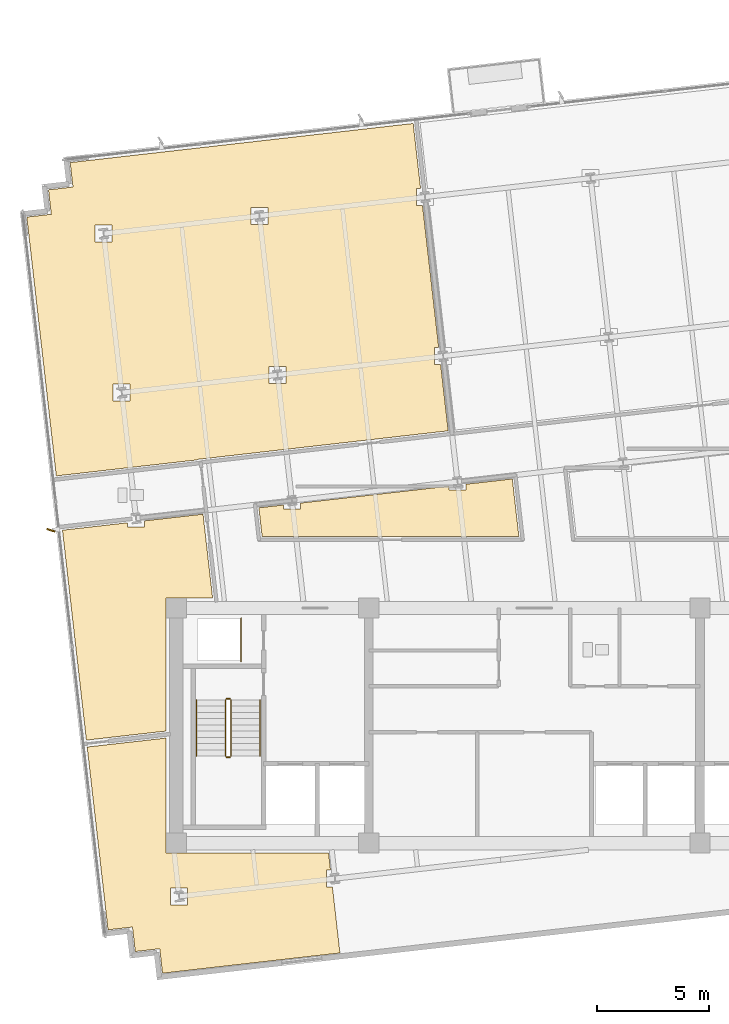
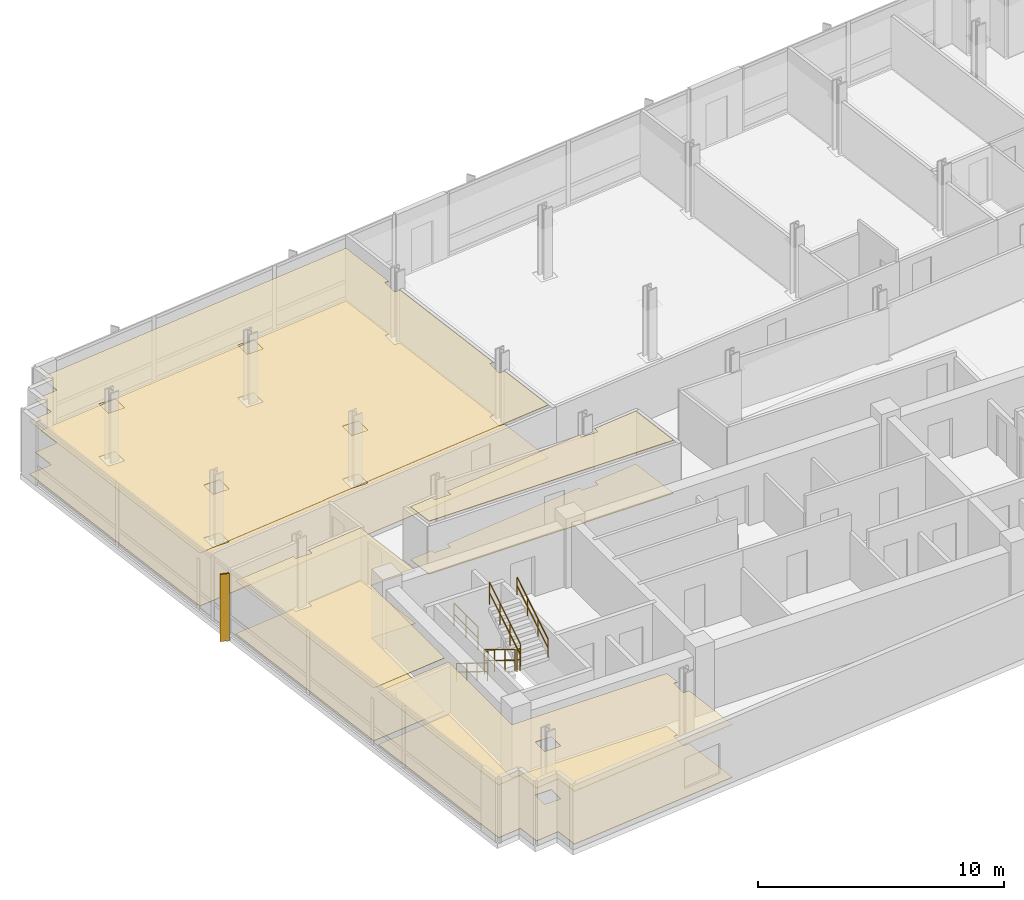
# One storey, part 12 of 16: 8 coverings, 7 railings, 1 shading device.
"""IFC4 building model written with IfcOpenShell, lengths in metres."""

from ifc_helpers import new_model, si_unit, direction, frame, origin, origin_2d, place, context, subcontext, project, spatial, polyline, rectangle, circle, outline, extrude, material, layer, layer_set, type_object, element, save


model = new_model("IFC4")

# Units and contexts
model_context = context("Model", 3, precision=1e-05, world=origin(), true_north=direction((0.0, 1.0)))
body_context = subcontext(model_context, "Body", "Model", "MODEL_VIEW")
ifc_project = project(units=[si_unit("LENGTHUNIT", "METRE"), si_unit("AREAUNIT", "SQUARE_METRE"), si_unit("VOLUMEUNIT", "CUBIC_METRE"), si_unit("PLANEANGLEUNIT", "RADIAN"), si_unit("MASSUNIT", "GRAM", prefix="KILO")], contexts=[model_context])

# Site, building, storey
site_placement = place(None, origin())
site = spatial("IfcSite", under=ifc_project, at=site_placement, CompositionType="ELEMENT")
building_placement = place(site_placement, origin())
building = spatial("IfcBuilding", under=site, at=building_placement, Name="Solmavex Isthmus Hotel", CompositionType="ELEMENT")
storey_placement = place(building_placement, frame((0.0, 0.0, 233.10009765625)))
storey = spatial("IfcBuildingStorey", under=building, at=storey_placement, Name="L63", CompositionType="ELEMENT", Elevation=233.10009765625)

# Coverings
ifc_material_1 = material(Name="Gypsum plasterboard lining", Category="gypsum")
ifc_layer_1 = layer(ifc_material_1, 0.030029296875)
ifc_layer_set_1 = layer_set([ifc_layer_1], Name="Gypsum plasterboard lining")
covering_type_1 = type_object("IfcCoveringType", Name="COV-CEIL-GYP", PredefinedType="CEILING", material=ifc_layer_set_1)
covering_1_placement = place(storey_placement, frame((0.0, 0.0, 2.619873046875)))
element("IfcCovering", 1, at=covering_1_placement, inside=storey, type_object=covering_type_1, Name="Suspended Acoustic Ceiling L63-RM01", PredefinedType="CEILING", context=body_context, shape_type="SweptSolid", body=[
    extrude(outline(polyline([(-15.079833984375, 4.11669921875), (-15.08203125, 4.136474609375), (-3.850830078125, 5.416259765625), (-4.18798828125, 8.375244140625), (-4.455322265625, 8.375244140625), (-4.455322265625, 9.13525390625), (-4.2744140625, 9.13525390625), (-4.99755859375, 15.481201171875), (-5.264892578125, 15.481201171875), (-5.264892578125, 16.2412109375), (-5.084228515625, 16.2412109375), (-5.415283203125, 19.1474609375), (-19.92041015625, 17.49462890625), (-20.740234375, 17.4013671875), (-20.615478515625, 16.308349609375), (-21.70849609375, 16.183837890625), (-21.583984375, 15.091064453125), (-22.677001953125, 14.966552734375), (-22.58349609375, 14.146728515625), (-21.359130859375, 3.4013671875), (-15.079833984375, 4.11669921875)]), holes=[polyline([(-11.853271484375, 7.532470703125), (-11.853271484375, 8.29248046875), (-11.09326171875, 8.29248046875), (-11.09326171875, 7.532470703125), (-11.853271484375, 7.532470703125)]), polyline([(-12.6630859375, 14.638427734375), (-12.6630859375, 15.3984375), (-11.903076171875, 15.3984375), (-11.903076171875, 14.638427734375), (-12.6630859375, 14.638427734375)]), polyline([(-18.81640625, 6.739013671875), (-18.81640625, 7.4990234375), (-18.056396484375, 7.4990234375), (-18.056396484375, 6.739013671875), (-18.81640625, 6.739013671875)]), polyline([(-19.6259765625, 13.844970703125), (-19.6259765625, 14.60498046875), (-18.865966796875, 14.60498046875), (-18.865966796875, 13.844970703125), (-19.6259765625, 13.844970703125)])]), origin(), (0.0, 0.0, 1.0), 0.030029296875),
])
covering_2_placement = place(storey_placement, frame((0.0, 0.0, 2.619873046875)))
element("IfcCovering", 2, at=covering_2_placement, inside=storey, type_object=covering_type_1, Name="Suspended Acoustic Ceiling L63-FL07", PredefinedType="CEILING", context=body_context, shape_type="SweptSolid", body=[
    extrude(outline(polyline([(-10.4541015625, 2.18798828125), (-10.4541015625, 1.920654296875), (-11.214111328125, 1.920654296875), (-11.214111328125, 2.101318359375), (-12.309814453125, 1.9765625), (-12.1650390625, 0.705078125), (-0.694091796875, 0.705078125), (-0.986083984375, 3.2666015625), (-3.055908203125, 3.03076171875), (-3.055908203125, 2.763671875), (-3.81591796875, 2.763671875), (-3.81591796875, 2.9443359375), (-10.4541015625, 2.18798828125)])), origin(), (0.0, 0.0, 1.0), 0.030029296875),
])
covering_3_placement = place(storey_placement, frame((0.0, 0.0, 2.619873046875)))
element("IfcCovering", 3, at=covering_3_placement, inside=storey, type_object=covering_type_1, Name="Suspended Acoustic Ceiling L63-FL08", PredefinedType="CEILING", context=body_context, shape_type="SweptSolid", body=[
    extrude(outline(polyline([(-17.4169921875, 1.39453125), (-17.4169921875, 1.12744140625), (-18.177001953125, 1.12744140625), (-18.177001953125, 1.30810546875), (-21.0830078125, 0.97705078125), (-20.014404296875, -8.40234375), (-16.455078125, -7.996826171875), (-16.455078125, -2.044921875), (-14.3779296875, -2.044921875), (-14.8037109375, 1.6923828125), (-17.4169921875, 1.39453125)])), origin(), (0.0, 0.0, 1.0), 0.030029296875),
])
covering_4_placement = place(storey_placement, frame((0.0, 0.0, 2.619873046875)))
element("IfcCovering", 4, at=covering_4_placement, inside=storey, type_object=covering_type_1, Name="Suspended Acoustic Ceiling L63-FL09", PredefinedType="CEILING", context=body_context, shape_type="SweptSolid", body=[
    extrude(outline(polyline([(-9.022216796875, -14.969970703125), (-9.28955078125, -14.969970703125), (-9.28955078125, -14.2099609375), (-9.10888671875, -14.2099609375), (-9.114501953125, -14.160400390625), (-9.19482421875, -13.455078125), (-16.455078125, -13.455078125), (-16.455078125, -8.308837890625), (-19.979248046875, -8.71044921875), (-19.22705078125, -15.312744140625), (-19.14208984375, -16.057861328125), (-19.048828125, -16.87744140625), (-17.955810546875, -16.7529296875), (-17.831298828125, -17.845947265625), (-16.73828125, -17.721435546875), (-16.61376953125, -18.814453125), (-15.794189453125, -18.720947265625), (-8.687255859375, -17.9111328125), (-9.022216796875, -14.969970703125)]), holes=[polyline([(-16.25244140625, -15.763427734375), (-16.25244140625, -15.00341796875), (-15.492431640625, -15.00341796875), (-15.492431640625, -15.763427734375), (-16.25244140625, -15.763427734375)])]), origin(), (0.0, 0.0, 1.0), 0.030029296875),
])
ifc_material_2 = material(Name="Travertine natural stone", Category="masonry")
ifc_layer_2 = layer(ifc_material_2, 0.02490234375)
ifc_layer_set_2 = layer_set([ifc_layer_2], Name="Travertine natural stone")
covering_type_2 = type_object("IfcCoveringType", Name="COV-FLOR-STN", PredefinedType="FLOORING", material=ifc_layer_set_2)
covering_5_placement = place(storey_placement, origin())
element("IfcCovering", 5, at=covering_5_placement, inside=storey, type_object=covering_type_2, Name="Stone and Timber Floor Finish L63-RM01", PredefinedType="FLOORING", context=body_context, shape_type="SweptSolid", body=[
    extrude(outline(polyline([(-15.079833984375, 4.11669921875), (-15.08203125, 4.136474609375), (-3.850830078125, 5.416259765625), (-4.18798828125, 8.375244140625), (-4.455322265625, 8.375244140625), (-4.455322265625, 9.13525390625), (-4.2744140625, 9.13525390625), (-4.99755859375, 15.481201171875), (-5.264892578125, 15.481201171875), (-5.264892578125, 16.2412109375), (-5.084228515625, 16.2412109375), (-5.415283203125, 19.1474609375), (-19.92041015625, 17.49462890625), (-20.740234375, 17.4013671875), (-20.615478515625, 16.308349609375), (-21.70849609375, 16.183837890625), (-21.583984375, 15.091064453125), (-22.677001953125, 14.966552734375), (-22.58349609375, 14.146728515625), (-21.359130859375, 3.4013671875), (-15.079833984375, 4.11669921875)]), holes=[polyline([(-11.853271484375, 7.532470703125), (-11.853271484375, 8.29248046875), (-11.09326171875, 8.29248046875), (-11.09326171875, 7.532470703125), (-11.853271484375, 7.532470703125)]), polyline([(-12.6630859375, 14.638427734375), (-12.6630859375, 15.3984375), (-11.903076171875, 15.3984375), (-11.903076171875, 14.638427734375), (-12.6630859375, 14.638427734375)]), polyline([(-18.81640625, 6.739013671875), (-18.81640625, 7.4990234375), (-18.056396484375, 7.4990234375), (-18.056396484375, 6.739013671875), (-18.81640625, 6.739013671875)]), polyline([(-19.6259765625, 13.844970703125), (-19.6259765625, 14.60498046875), (-18.865966796875, 14.60498046875), (-18.865966796875, 13.844970703125), (-19.6259765625, 13.844970703125)])]), origin(), (0.0, 0.0, 1.0), 0.02490234375),
])
covering_6_placement = place(storey_placement, origin())
element("IfcCovering", 6, at=covering_6_placement, inside=storey, type_object=covering_type_2, Name="Stone and Timber Floor Finish L63-FL07", PredefinedType="FLOORING", context=body_context, shape_type="SweptSolid", body=[
    extrude(outline(polyline([(-10.4541015625, 2.18798828125), (-10.4541015625, 1.920654296875), (-11.214111328125, 1.920654296875), (-11.214111328125, 2.101318359375), (-12.309814453125, 1.9765625), (-12.1650390625, 0.705078125), (-0.694091796875, 0.705078125), (-0.986083984375, 3.2666015625), (-3.055908203125, 3.03076171875), (-3.055908203125, 2.763671875), (-3.81591796875, 2.763671875), (-3.81591796875, 2.9443359375), (-10.4541015625, 2.18798828125)])), origin(), (0.0, 0.0, 1.0), 0.02490234375),
])
covering_7_placement = place(storey_placement, origin())
element("IfcCovering", 7, at=covering_7_placement, inside=storey, type_object=covering_type_2, Name="Stone and Timber Floor Finish L63-FL08", PredefinedType="FLOORING", context=body_context, shape_type="SweptSolid", body=[
    extrude(outline(polyline([(-17.4169921875, 1.39453125), (-17.4169921875, 1.12744140625), (-18.177001953125, 1.12744140625), (-18.177001953125, 1.30810546875), (-21.0830078125, 0.97705078125), (-20.014404296875, -8.40234375), (-16.455078125, -7.996826171875), (-16.455078125, -2.044921875), (-14.3779296875, -2.044921875), (-14.8037109375, 1.6923828125), (-17.4169921875, 1.39453125)])), origin(), (0.0, 0.0, 1.0), 0.02490234375),
])
covering_8_placement = place(storey_placement, origin())
element("IfcCovering", 8, at=covering_8_placement, inside=storey, type_object=covering_type_2, Name="Stone and Timber Floor Finish L63-FL09", PredefinedType="FLOORING", context=body_context, shape_type="SweptSolid", body=[
    extrude(outline(polyline([(-9.022216796875, -14.969970703125), (-9.28955078125, -14.969970703125), (-9.28955078125, -14.2099609375), (-9.10888671875, -14.2099609375), (-9.114501953125, -14.160400390625), (-9.19482421875, -13.455078125), (-16.455078125, -13.455078125), (-16.455078125, -8.308837890625), (-19.979248046875, -8.71044921875), (-19.22705078125, -15.312744140625), (-19.14208984375, -16.057861328125), (-19.048828125, -16.87744140625), (-17.955810546875, -16.7529296875), (-17.831298828125, -17.845947265625), (-16.73828125, -17.721435546875), (-16.61376953125, -18.814453125), (-15.794189453125, -18.720947265625), (-8.687255859375, -17.9111328125), (-9.022216796875, -14.969970703125)]), holes=[polyline([(-16.25244140625, -15.763427734375), (-16.25244140625, -15.00341796875), (-15.492431640625, -15.00341796875), (-15.492431640625, -15.763427734375), (-16.25244140625, -15.763427734375)])]), origin(), (0.0, 0.0, 1.0), 0.02490234375),
])

# Railings
ifc_material_3 = material(Name="Clear low-E laminated glass", Category="glass")
ifc_layer_3 = layer(ifc_material_3, 0.080078125)
ifc_layer_set_3 = layer_set([ifc_layer_3], Name="Clear low-E laminated glass")
railing_type_1 = type_object("IfcRailingType", Name="RAIL-ATRIUM-1120", PredefinedType="BALUSTRADE", material=ifc_layer_set_3)
railing_1_placement = place(storey_placement, frame((-13.10009765625, -4.89990234375, 0.0)))
element("IfcRailing", 9, at=railing_1_placement, inside=storey, type_object=railing_type_1, Name="Guardrail Balustrade L63-RSW-01", PredefinedType="BALUSTRADE", context=body_context, shape_type="SweptSolid", body=[
    extrude(circle(Radius=0.02392578125, at=origin_2d()), frame((0.0, 0.0, 1.1259765625), z_axis=(0.0, 1.0, 0.0), x_axis=(-1.0, 0.0, 0.0)), (0.0, 0.0, 1.0), 1.949951171875),
    extrude(circle(Radius=0.02392578125, at=origin_2d()), frame((0.0, 0.0, 0.574951171875), z_axis=(0.0, 1.0, 0.0), x_axis=(-1.0, 0.0, 0.0)), (0.0, 0.0, 1.0), 1.949951171875),
    extrude(circle(Radius=0.02099609375, at=origin_2d()), origin(), (0.0, 0.0, 1.0), 1.101806640625),
    extrude(circle(Radius=0.02099609375, at=origin_2d()), frame((0.0, 0.97509765625, 0.0)), (0.0, 0.0, 1.0), 1.101806640625),
    extrude(circle(Radius=0.02099609375, at=origin_2d()), frame((0.0, 1.949951171875, 0.0)), (0.0, 0.0, 1.0), 1.101806640625),
])
ifc_material_4 = material(Name="Stainless steel 316", Category="steel")
ifc_layer_4 = layer(ifc_material_4, 0.06005859375)
ifc_layer_set_4 = layer_set([ifc_layer_4], Name="Stainless steel 316")
railing_type_2 = type_object("IfcRailingType", Name="RAIL-STAIR-GD", PredefinedType="GUARDRAIL", material=ifc_layer_set_4)
railing_2_placement = place(storey_placement, frame((-13.800048828125, -6.60009765625, 0.17236328125)))
element("IfcRailing", 10, at=railing_2_placement, inside=storey, type_object=railing_type_2, Name="L63 ST-1 stair guard 1", PredefinedType="GUARDRAIL", context=body_context, shape_type="SweptSolid", body=[
    extrude(circle(Radius=0.02392578125, at=origin_2d()), frame((0.0, 0.0, 1.09619140625), z_axis=(0.0, -0.851400495292, 0.524516154772), x_axis=(1.0, 0.0, 0.0)), (0.0, 0.0, 1.0), 2.9599609375),
    extrude(circle(Radius=0.02392578125, at=origin_2d()), frame((0.0, 0.0, 0.56005859375), z_axis=(0.0, -0.851400495292, 0.524516154772), x_axis=(1.0, 0.0, 0.0)), (0.0, 0.0, 1.0), 2.9599609375),
    extrude(circle(Radius=0.02099609375, at=origin_2d()), origin(), (0.0, 0.0, 1.0), 1.072021484375),
    extrude(circle(Radius=0.02099609375, at=origin_2d()), frame((0.0, -0.840087890625, 0.517578125)), (0.0, 0.0, 1.0), 1.072021484375),
    extrude(circle(Radius=0.02099609375, at=origin_2d()), frame((0.0, -1.679931640625, 1.034912109375)), (0.0, 0.0, 1.0), 1.072021484375),
    extrude(circle(Radius=0.02099609375, at=origin_2d()), frame((0.0, -2.52001953125, 1.552490234375)), (0.0, 0.0, 1.0), 1.072021484375),
])
railing_3_placement = place(storey_placement, frame((-13.75, -9.169921875, 1.724853515625)))
element("IfcRailing", 11, at=railing_3_placement, inside=storey, type_object=railing_type_2, Name="L63 ST-1 stair guard 2", PredefinedType="GUARDRAIL", context=body_context, shape_type="SweptSolid", body=[
    extrude(circle(Radius=0.02392578125, at=origin_2d()), frame((0.0, 0.0, 1.09619140625), z_axis=(1.0, 0.0, 0.0), x_axis=(0.0, 1.0, 0.0)), (0.0, 0.0, 1.0), 0.14990234375),
    extrude(circle(Radius=0.02392578125, at=origin_2d()), frame((0.0, 0.0, 0.56005859375), z_axis=(1.0, 0.0, 0.0), x_axis=(0.0, 1.0, 0.0)), (0.0, 0.0, 1.0), 0.14990234375),
    extrude(circle(Radius=0.02099609375, at=origin_2d()), origin(), (0.0, 0.0, 1.0), 1.072021484375),
    extrude(circle(Radius=0.02099609375, at=origin_2d()), frame((0.14990234375, 0.0, 0.0)), (0.0, 0.0, 1.0), 1.072021484375),
])
railing_4_placement = place(storey_placement, frame((-13.550048828125, -9.1201171875, 1.8974609375)))
element("IfcRailing", 12, at=railing_4_placement, inside=storey, type_object=railing_type_2, Name="L63 ST-1 stair guard 3", PredefinedType="GUARDRAIL", context=body_context, shape_type="SweptSolid", body=[
    extrude(circle(Radius=0.02392578125, at=origin_2d()), frame((0.0, 0.0, 1.09619140625), z_axis=(0.0, 0.851400495292, 0.524516154772), x_axis=(-1.0, 0.0, 0.0)), (0.0, 0.0, 1.0), 2.9599609375),
    extrude(circle(Radius=0.02392578125, at=origin_2d()), frame((0.0, 0.0, 0.56005859375), z_axis=(0.0, 0.851400495292, 0.524516154772), x_axis=(-1.0, 0.0, 0.0)), (0.0, 0.0, 1.0), 2.9599609375),
    extrude(circle(Radius=0.02099609375, at=origin_2d()), origin(), (0.0, 0.0, 1.0), 1.072021484375),
    extrude(circle(Radius=0.02099609375, at=origin_2d()), frame((0.0, 0.840087890625, 0.517578125)), (0.0, 0.0, 1.0), 1.072021484375),
    extrude(circle(Radius=0.02099609375, at=origin_2d()), frame((0.0, 1.679931640625, 1.034912109375)), (0.0, 0.0, 1.0), 1.072021484375),
    extrude(circle(Radius=0.02099609375, at=origin_2d()), frame((0.0, 2.52001953125, 1.552490234375)), (0.0, 0.0, 1.0), 1.072021484375),
])
railing_5_placement = place(storey_placement, frame((-13.75, -6.550048828125, 0.0)))
element("IfcRailing", 13, at=railing_5_placement, inside=storey, type_object=railing_type_2, Name="L63 ST-1 stair guard 4", PredefinedType="GUARDRAIL", context=body_context, shape_type="SweptSolid", body=[
    extrude(circle(Radius=0.02392578125, at=origin_2d()), frame((0.0, 0.0, 1.09619140625), z_axis=(1.0, 0.0, 0.0), x_axis=(0.0, 1.0, 0.0)), (0.0, 0.0, 1.0), 0.14990234375),
    extrude(circle(Radius=0.02392578125, at=origin_2d()), frame((0.0, 0.0, 0.56005859375), z_axis=(1.0, 0.0, 0.0), x_axis=(0.0, 1.0, 0.0)), (0.0, 0.0, 1.0), 0.14990234375),
    extrude(circle(Radius=0.02099609375, at=origin_2d()), origin(), (0.0, 0.0, 1.0), 1.072021484375),
    extrude(circle(Radius=0.02099609375, at=origin_2d()), frame((0.14990234375, 0.0, 0.0)), (0.0, 0.0, 1.0), 1.072021484375),
])
ifc_layer_5 = layer(ifc_material_4, 0.050048828125)
ifc_layer_set_5 = layer_set([ifc_layer_5], Name="Stainless steel 316")
railing_type_3 = type_object("IfcRailingType", Name="RAIL-STAIR-HR", PredefinedType="HANDRAIL", material=ifc_layer_set_5)
railing_6_placement = place(storey_placement, frame((-15.10009765625, -6.60009765625, 0.17236328125)))
element("IfcRailing", 14, at=railing_6_placement, inside=storey, type_object=railing_type_3, Name="L63 ST-1 stair handrail 1", PredefinedType="HANDRAIL", context=body_context, shape_type="SweptSolid", body=[
    extrude(circle(Radius=0.02392578125, at=origin_2d()), frame((0.0, 0.0, 0.8759765625), z_axis=(0.0, -0.851400495292, 0.524516154772), x_axis=(1.0, 0.0, 0.0)), (0.0, 0.0, 1.0), 2.9599609375),
    extrude(circle(Radius=0.02392578125, at=origin_2d()), frame((0.0, 0.0, 0.449951171875), z_axis=(0.0, -0.851400495292, 0.524516154772), x_axis=(1.0, 0.0, 0.0)), (0.0, 0.0, 1.0), 2.9599609375),
    extrude(circle(Radius=0.02099609375, at=origin_2d()), origin(), (0.0, 0.0, 1.0), 0.851806640625),
    extrude(circle(Radius=0.02099609375, at=origin_2d()), frame((0.0, -0.840087890625, 0.517578125)), (0.0, 0.0, 1.0), 0.851806640625),
    extrude(circle(Radius=0.02099609375, at=origin_2d()), frame((0.0, -1.679931640625, 1.034912109375)), (0.0, 0.0, 1.0), 0.851806640625),
    extrude(circle(Radius=0.02099609375, at=origin_2d()), frame((0.0, -2.52001953125, 1.552490234375)), (0.0, 0.0, 1.0), 0.851806640625),
])
railing_7_placement = place(storey_placement, frame((-12.25, -9.1201171875, 1.8974609375)))
element("IfcRailing", 15, at=railing_7_placement, inside=storey, type_object=railing_type_3, Name="L63 ST-1 stair handrail 2", PredefinedType="HANDRAIL", context=body_context, shape_type="SweptSolid", body=[
    extrude(circle(Radius=0.02392578125, at=origin_2d()), frame((0.0, 0.0, 0.8759765625), z_axis=(0.0, 0.851400495292, 0.524516154772), x_axis=(-1.0, 0.0, 0.0)), (0.0, 0.0, 1.0), 2.9599609375),
    extrude(circle(Radius=0.02392578125, at=origin_2d()), frame((0.0, 0.0, 0.449951171875), z_axis=(0.0, 0.851400495292, 0.524516154772), x_axis=(-1.0, 0.0, 0.0)), (0.0, 0.0, 1.0), 2.9599609375),
    extrude(circle(Radius=0.02099609375, at=origin_2d()), origin(), (0.0, 0.0, 1.0), 0.851806640625),
    extrude(circle(Radius=0.02099609375, at=origin_2d()), frame((0.0, 0.840087890625, 0.517578125)), (0.0, 0.0, 1.0), 0.851806640625),
    extrude(circle(Radius=0.02099609375, at=origin_2d()), frame((0.0, 1.679931640625, 1.034912109375)), (0.0, 0.0, 1.0), 0.851806640625),
    extrude(circle(Radius=0.02099609375, at=origin_2d()), frame((0.0, 2.52001953125, 1.552490234375)), (0.0, 0.0, 1.0), 0.851806640625),
])

# Shading device
ifc_material_5 = material(Name="Aluminium alloy 6063-T6", Category="aluminium")
shading_device_type = type_object("IfcShadingDeviceType", Name="SHD-FIN-CHAMP", PredefinedType="USERDEFINED", material=ifc_material_5)
shading_device_placement = place(storey_placement, frame((-21.600830078125, 0.973388671875, -0.14013671875), z_axis=(0.0, 0.0, 1.0), x_axis=(-0.953716950748, 0.300705799504, 0.0)))
element("IfcShadingDevice", 16, at=shading_device_placement, inside=storey, type_object=shading_device_type, Name="Anodised Aluminium Solar Fin L63-W1", ObjectType="SOLAR_FIN", PredefinedType="USERDEFINED", context=body_context, shape_type="SweptSolid", body=[
    extrude(rectangle(XDim=0.3798828125, YDim=0.070068359375, at=origin_2d()), origin(), (0.0, 0.0, 1.0), 3.330078125),
])

save(model, "model.ifc")
